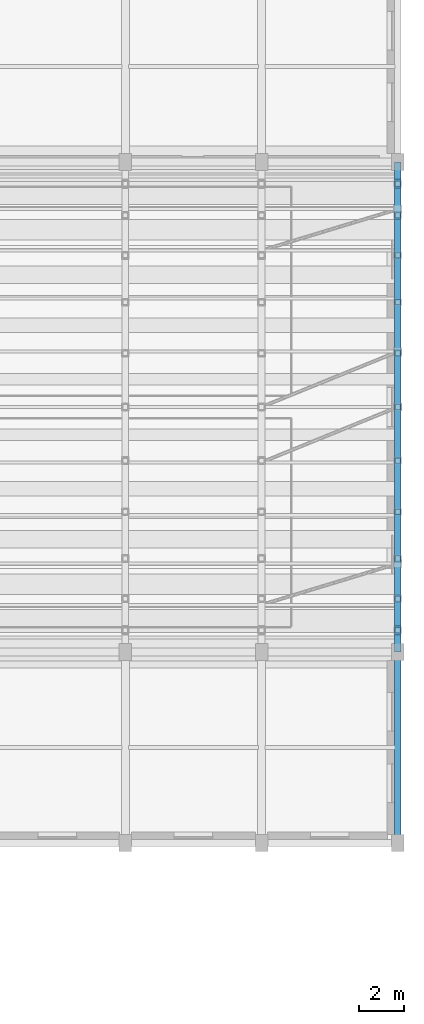
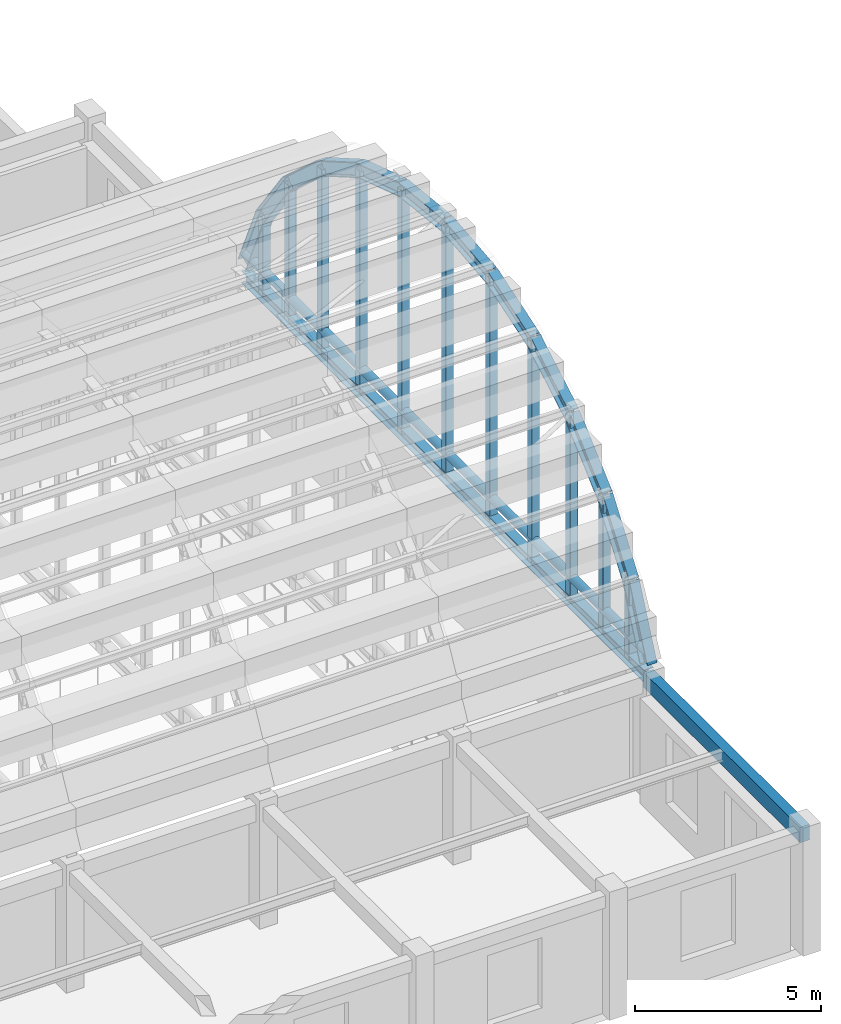
# One storey, part 11 of 46: 14 beams, 12 members.
"""IFC4 building model written with IfcOpenShell, lengths in metres."""

import ifcopenshell
import ifcopenshell.guid

model = None  # the IFC model being written
_history = None  # IfcOwnerHistory: only IFC2X3 demands one
_inside = {}  # id of a spatial element -> (the spatial element, [elements in it])
_under = {}  # id of a project, library or spatial element -> (it, [spatial elements below it])
_declared = {}  # id of a project -> (the project, [libraries it declares])
_typed = {}  # id of a type object -> (the type object, [elements of that type])
_made_of = {}  # id of a material, layer set ... -> (it, [elements and type objects made of it])


def new_model(schema):
    """Start an empty IFC model of exactly this schema.

    Asked for "IFC4X3", IfcOpenShell would pick the latest addendum, in which some entities
    have other attributes; the version numbers below select the first issue.
    IFC2X3 requires an IfcOwnerHistory on every rooted entity: one is made here for all.
    """
    global model, _history
    if schema == "IFC4X3":
        model = ifcopenshell.file(schema_version=(4, 3, 0, 0))
    else:
        model = ifcopenshell.file(schema=schema)
    _inside.clear()
    _under.clear()
    _declared.clear()
    _typed.clear()
    _made_of.clear()
    _history = None
    if model.schema == "IFC2X3":
        org = make("IfcOrganization", Name="unknown")
        user = make(
            "IfcPersonAndOrganization",
            ThePerson=make("IfcPerson", FamilyName="unknown"),
            TheOrganization=org,
        )
        app = make(
            "IfcApplication",
            ApplicationDeveloper=org,
            Version="unknown",
            ApplicationFullName="unknown",
            ApplicationIdentifier="unknown",
        )
        _history = make(
            "IfcOwnerHistory",
            OwningUser=user,
            OwningApplication=app,
            ChangeAction="ADDED",
            CreationDate=0,
        )
    return model


def make(cls, **values):
    """One entity of the class cls with the attributes given. An attribute that is None is left unset."""
    return model.create_entity(
        cls, **{name: value for name, value in values.items() if value is not None}
    )


def rooted(cls, **values):
    """An entity with a GlobalId (a new one), such as an element, a storey or a relation."""
    return make(cls, GlobalId=ifcopenshell.guid.new(), OwnerHistory=_history, **values)


def si_unit(unit_type, name, prefix=None):
    """IfcSIUnit, for example si_unit("LENGTHUNIT", "METRE", prefix="MILLI")."""
    return make("IfcSIUnit", UnitType=unit_type, Prefix=prefix, Name=name)


def assignment(units):
    """IfcUnitAssignment: the units of a project."""
    return None if units is None else make("IfcUnitAssignment", Units=units)


def point(xyz):
    """IfcCartesianPoint."""
    return None if xyz is None else make("IfcCartesianPoint", Coordinates=xyz)


def direction(xyz):
    """IfcDirection."""
    return None if xyz is None else make("IfcDirection", DirectionRatios=xyz)


def frame(location, z_axis=None, x_axis=None):
    """IfcAxis2Placement3D, a coordinate frame: its origin and axes. An axis left out is left unset."""
    return make(
        "IfcAxis2Placement3D",
        Location=point(location),
        Axis=direction(z_axis),
        RefDirection=direction(x_axis),
    )


def frame_2d(location, x_axis=None):
    """IfcAxis2Placement2D, a coordinate frame in the plane: its origin and x axis."""
    return make(
        "IfcAxis2Placement2D", Location=point(location), RefDirection=direction(x_axis)
    )


def origin():
    """The frame at (0, 0, 0) with its axes left unset."""
    return frame((0.0, 0.0, 0.0))


def origin_2d():
    """The frame at (0, 0) in the plane with its x axis left unset."""
    return frame_2d((0.0, 0.0))


def place(relative_to, where):
    """IfcLocalPlacement: puts the frame where relative to a parent placement (None: the world)."""
    return make(
        "IfcLocalPlacement", PlacementRelTo=relative_to, RelativePlacement=where
    )


def context(
    kind, dimensions, precision=None, world=None, true_north=None, identifier=None
):
    """IfcGeometricRepresentationContext, for example the 3D "Model" context."""
    return make(
        "IfcGeometricRepresentationContext",
        ContextIdentifier=identifier,
        ContextType=kind,
        CoordinateSpaceDimension=dimensions,
        Precision=precision,
        WorldCoordinateSystem=world,
        TrueNorth=true_north,
    )


def subcontext(parent, identifier, kind, view, scale=None):
    """IfcGeometricRepresentationSubContext, for example "Body" below "Model"."""
    return make(
        "IfcGeometricRepresentationSubContext",
        ContextIdentifier=identifier,
        ContextType=kind,
        ParentContext=parent,
        TargetScale=scale,
        TargetView=view,
    )


def project(units=None, contexts=None):
    """IfcProject with its units and contexts."""
    return rooted(
        "IfcProject",
        Name="project",
        RepresentationContexts=contexts,
        UnitsInContext=assignment(units),
    )


def spatial(cls, under=None, at=None, **own):
    """A site, building, storey or space (cls), placed at a placement, below another one or the project."""
    s = rooted(cls, ObjectPlacement=at, **own)
    if under is not None:
        _under.setdefault(under.id(), (under, []))[1].append(s)
    return s


def profile(cls, at=None, kind="AREA", **sizes):
    """A parametric profile (cls). Its sizes go by their IFC names, for example OverallWidth=200.0."""
    return make(cls, ProfileType=kind, Position=at, **sizes)


def rectangle(**sizes):
    """IfcRectangleProfileDef."""
    return profile("IfcRectangleProfileDef", **sizes)


def hollow_rectangle(**sizes):
    """IfcRectangleHollowProfileDef."""
    return profile("IfcRectangleHollowProfileDef", **sizes)


def hollow_circle(**sizes):
    """IfcCircleHollowProfileDef."""
    return profile("IfcCircleHollowProfileDef", **sizes)


def i_section(**sizes):
    """IfcIShapeProfileDef."""
    return profile("IfcIShapeProfileDef", **sizes)


def extrude(swept, where, along, depth):
    """IfcExtrudedAreaSolid: the profile swept, set in the frame where, extruded along a direction by depth."""
    return make(
        "IfcExtrudedAreaSolid",
        SweptArea=swept,
        Position=where,
        ExtrudedDirection=direction(along),
        Depth=depth,
    )


def shape(context_of_items, identifier, shape_type, items):
    """IfcShapeRepresentation: the items that make up one representation, for example the "Body"."""
    return make(
        "IfcShapeRepresentation",
        ContextOfItems=context_of_items,
        RepresentationIdentifier=identifier,
        RepresentationType=shape_type,
        Items=items,
    )


def material(Name=None, Category=None):
    """IfcMaterial."""
    return make("IfcMaterial", Name=Name, Category=Category)


def material_profile(
    of_material, cross_section, Name=None, Category=None, Priority=None
):
    """IfcMaterialProfile: a cross section and its material."""
    return make(
        "IfcMaterialProfile",
        Name=Name,
        Material=of_material,
        Profile=cross_section,
        Priority=Priority,
        Category=Category,
    )


def profile_set(profiles, Name=None, composite=None):
    """IfcMaterialProfileSet."""
    return make(
        "IfcMaterialProfileSet",
        Name=Name,
        MaterialProfiles=profiles,
        CompositeProfile=composite,
    )


def made_of(thing, what):
    """Note that an element or type object is made of a material, layer set ...; save() writes the relation."""
    if what is not None:
        _made_of.setdefault(what.id(), (what, []))[1].append(thing)
    return thing


def type_object(cls, material=None, **own):
    """A type object (cls), such as IfcWallType, which elements share."""
    return made_of(rooted(cls, **own), material)


def element(
    cls,
    number,
    at=None,
    inside=None,
    cuts=None,
    type_object=None,
    material=None,
    context=None,
    identifier="Body",
    shape_type=None,
    held_by="IfcProductDefinitionShape",
    body=None,
    shapes=None,
    **own,
):
    """One element of the class cls, such as IfcWall. Its Tag is "e" and its number.

    at: its placement. inside: the storey or other place that contains it. cuts: it is an
    opening in that element (IfcRelVoidsElement). A single representation is given by context,
    identifier, shape_type and body (its items); several are given by shapes. held_by: the class
    of the entity that holds the representations. save() writes the other relations.
    """
    e = rooted(cls, Tag="e%d" % number, ObjectPlacement=at, **own)
    if body is not None:
        shapes = [shape(context, identifier, shape_type, body)]
    if shapes is not None:
        e.Representation = make(held_by, Representations=shapes)
    if inside is not None:
        _inside.setdefault(inside.id(), (inside, []))[1].append(e)
    if cuts is not None:
        rooted(
            "IfcRelVoidsElement", RelatingBuildingElement=cuts, RelatedOpeningElement=e
        )
    if type_object is not None:
        _typed.setdefault(type_object.id(), (type_object, []))[1].append(e)
    return made_of(e, material)


def aggregate(whole, parts):
    """IfcRelAggregates: a whole, such as a stair, and the parts it consists of."""
    return rooted("IfcRelAggregates", RelatingObject=whole, RelatedObjects=parts)


def save(model, path):
    """Write the relations noted so far, then the file.

    IfcRelAggregates (storeys below a building ...), IfcRelContainedInSpatialStructure (elements
    in a storey), IfcRelDefinesByType, IfcRelAssociatesMaterial and IfcRelDeclares: one each for
    every whole, place, type object, material and project.
    """
    for whole, parts in _under.values():
        aggregate(whole, parts)
    for where, things in _inside.values():
        rooted(
            "IfcRelContainedInSpatialStructure",
            RelatedElements=things,
            RelatingStructure=where,
        )
    for kind, things in _typed.values():
        rooted("IfcRelDefinesByType", RelatedObjects=things, RelatingType=kind)
    for what, things in _made_of.values():
        rooted("IfcRelAssociatesMaterial", RelatedObjects=things, RelatingMaterial=what)
    for by, libraries in _declared.values():
        rooted("IfcRelDeclares", RelatingContext=by, RelatedDefinitions=libraries)
    model.write(path)


model = new_model("IFC4")

# Units and contexts
model_context = context("Model", 3, precision=1e-05, world=origin(), true_north=direction((0.0, 1.0)))
body_context = subcontext(model_context, "Body", "Model", "MODEL_VIEW")
ifc_project = project(units=[si_unit("LENGTHUNIT", "METRE"), si_unit("AREAUNIT", "SQUARE_METRE"), si_unit("VOLUMEUNIT", "CUBIC_METRE"), si_unit("PLANEANGLEUNIT", "RADIAN"), si_unit("MASSUNIT", "GRAM", prefix="KILO")], contexts=[model_context])

# Site, building, storey
site_placement = place(None, origin())
site = spatial("IfcSite", under=ifc_project, at=site_placement, CompositionType="ELEMENT")
building_placement = place(site_placement, origin())
building = spatial("IfcBuilding", under=site, at=building_placement, Name="Tarnavel Promenade Courthouse", CompositionType="ELEMENT")
storey_placement = place(building_placement, frame((0.0, 0.0, 14.39990234375)))
storey = spatial("IfcBuildingStorey", under=building, at=storey_placement, Name="L04", CompositionType="ELEMENT", Elevation=14.39990234375)

# Beams
ifc_material_1 = material(Name="Concrete C40/50", Category="concrete")
ifc_material_profile_1 = material_profile(ifc_material_1, rectangle(XDim=0.300048828125, YDim=0.5, at=origin_2d()), Name="RC 300x500")
ifc_profile_set_1 = profile_set([ifc_material_profile_1], Name="Concrete C40/50")
beam_type_1 = type_object("IfcBeamType", Name="Concrete C40/50 BM-SP-300x500 (RC 300x500)", PredefinedType="SPANDREL", material=ifc_profile_set_1)
beam_1_placement = place(storey_placement, frame((162.0, 28.800048828125, 3.705078125), z_axis=(0.0, 1.0, 0.0), x_axis=(-1.0, 0.0, 0.0)))
element("IfcBeam", 1, at=beam_1_placement, inside=storey, type_object=beam_type_1, Name="L04 Transverse Girder 2131", PredefinedType="SPANDREL", context=body_context, shape_type="SweptSolid", body=[
    extrude(rectangle(XDim=0.300048828125, YDim=0.5, at=origin_2d()), origin(), (0.0, 0.0, 1.0), 8.39990234375),
])
ifc_material_2 = material(Name="Steel S355J2", Category="steel")
ifc_material_profile_2 = material_profile(ifc_material_2, i_section(OverallWidth=0.300048828125, OverallDepth=0.449951171875, WebThickness=0.013916015625, FlangeThickness=0.02587890625, FilletRadius=0.027099609375, at=origin_2d()), Name="HEB 450")
ifc_profile_set_2 = profile_set([ifc_material_profile_2], Name="Steel S355J2")
beam_type_2 = type_object("IfcBeamType", Name="Steel S355J2 BM-AR-HEB450 (HEB 450)", PredefinedType="T_BEAM", material=ifc_profile_set_2)
for number, where, z_axis, x_axis, name in (
    (2, (162.0, 37.199951171875, 4.2001953125), (0.0, 0.406453266448, 0.91367157239), (-1.0, 0.0, 0.0), "V1 Barrel Vault Arch Rib 08 Chord 01"),
    (3, (162.0, 38.1650390625, 6.36962890625), (0.0, 0.587523453946, 0.809207137304), (-1.0, 0.0, 0.0), "V1 Barrel Vault Arch Rib 08 Chord 02"),
    (4, (162.0, 39.56005859375, 8.291015625), (0.0, 0.742956629711, 0.669339559842), (-1.0, 0.0, 0.0), "V1 Barrel Vault Arch Rib 08 Chord 03"),
    (5, (162.0, 41.32421875, 9.88037109375), (0.0, 0.86595611672, 0.500119989518), (-1.0, 0.0, 0.0), "V1 Barrel Vault Arch Rib 08 Chord 04"),
    (6, (162.0, 43.38037109375, 11.06787109375), (0.0, 0.951041624123, 0.309062824012), (-1.0, 0.0, 0.0), "V1 Barrel Vault Arch Rib 08 Chord 05"),
):
    element("IfcBeam", number, at=place(storey_placement, frame(where, z_axis=z_axis, x_axis=x_axis)), inside=storey, type_object=beam_type_2, Name=name, PredefinedType="T_BEAM", context=body_context, shape_type="SweptSolid", body=[
        extrude(i_section(OverallWidth=0.300048828125, OverallDepth=0.449951171875, WebThickness=0.013916015625, FlangeThickness=0.02587890625, FilletRadius=0.027099609375, at=origin_2d()), origin(), (0.0, 0.0, 1.0), 2.37451171875),
    ])
for number, where, z_axis, x_axis, name in (
    (7, (162.0, 45.638671875, 11.8017578125), (0.0, 0.994517278414, 0.104572381322), (-1.0, 0.0, 0.0), "V1 Barrel Vault Arch Rib 08 Chord 06"),
    (8, (162.0, 48.0, 12.050048828125), (0.0, 0.994517278414, -0.104572381322), (-1.0, 0.0, 0.0), "V1 Barrel Vault Arch Rib 08 Chord 07"),
):
    element("IfcBeam", number, at=place(storey_placement, frame(where, z_axis=z_axis, x_axis=x_axis)), inside=storey, type_object=beam_type_2, Name=name, PredefinedType="T_BEAM", context=body_context, shape_type="SweptSolid", body=[
        extrude(i_section(OverallWidth=0.300048828125, OverallDepth=0.449951171875, WebThickness=0.013916015625, FlangeThickness=0.02587890625, FilletRadius=0.027099609375, at=origin_2d()), origin(), (0.0, 0.0, 1.0), 2.374267578125),
    ])
for number, where, z_axis, x_axis, name in (
    (9, (162.0, 50.361328125, 11.8017578125), (0.0, 0.951041624123, -0.309062824012), (-1.0, 0.0, 0.0), "V1 Barrel Vault Arch Rib 08 Chord 08"),
    (10, (162.0, 52.61962890625, 11.06787109375), (0.0, 0.86595611672, -0.500119989518), (-1.0, 0.0, 0.0), "V1 Barrel Vault Arch Rib 08 Chord 09"),
    (11, (162.0, 54.67578125, 9.88037109375), (0.0, 0.742956629711, -0.669339559842), (-1.0, 0.0, 0.0), "V1 Barrel Vault Arch Rib 08 Chord 10"),
    (12, (162.0, 56.43994140625, 8.291015625), (0.0, 0.587523453946, -0.809207137304), (-1.0, 0.0, 0.0), "V1 Barrel Vault Arch Rib 08 Chord 11"),
    (13, (162.0, 57.8349609375, 6.36962890625), (0.0, 0.406453266448, -0.91367157239), (-1.0, 0.0, 0.0), "V1 Barrel Vault Arch Rib 08 Chord 12"),
):
    element("IfcBeam", number, at=place(storey_placement, frame(where, z_axis=z_axis, x_axis=x_axis)), inside=storey, type_object=beam_type_2, Name=name, PredefinedType="T_BEAM", context=body_context, shape_type="SweptSolid", body=[
        extrude(i_section(OverallWidth=0.300048828125, OverallDepth=0.449951171875, WebThickness=0.013916015625, FlangeThickness=0.02587890625, FilletRadius=0.027099609375, at=origin_2d()), origin(), (0.0, 0.0, 1.0), 2.37451171875),
    ])
ifc_material_profile_3 = material_profile(ifc_material_2, i_section(OverallWidth=0.300048828125, OverallDepth=0.39990234375, WebThickness=0.013427734375, FlangeThickness=0.02392578125, FilletRadius=0.027099609375, at=origin_2d()), Name="HEB 400")
ifc_profile_set_3 = profile_set([ifc_material_profile_3], Name="Steel S355J2")
beam_type_3 = type_object("IfcBeamType", Name="Steel S355J2 BM-ST-HEB400 (HEB 400)", PredefinedType="T_BEAM", material=ifc_profile_set_3)
beam_2_placement = place(storey_placement, frame((162.0, 37.199951171875, 3.820068359375), z_axis=(0.0, 1.0, 0.0), x_axis=(-1.0, 0.0, 0.0)))
element("IfcBeam", 14, at=beam_2_placement, inside=storey, type_object=beam_type_3, Name="V1 Barrel Vault Tie Girder 08", PredefinedType="T_BEAM", context=body_context, shape_type="SweptSolid", body=[
    extrude(i_section(OverallWidth=0.300048828125, OverallDepth=0.39990234375, WebThickness=0.013427734375, FlangeThickness=0.02392578125, FilletRadius=0.027099609375, at=origin_2d()), origin(), (0.0, 0.0, 1.0), 21.60009765625),
])

# Members
ifc_material_profile_4 = material_profile(ifc_material_2, hollow_rectangle(XDim=0.25, YDim=0.25, WallThickness=0.012451171875, InnerFilletRadius=0.012451171875, OuterFilletRadius=0.02490234375, at=origin_2d()), Name="SHS 250x250x12.5")
ifc_profile_set_4 = profile_set([ifc_material_profile_4], Name="Steel S355J2")
member_type_1 = type_object("IfcMemberType", Name="Steel S355J2 MEM-STR-SHS250 (SHS 250x250x12.5)", PredefinedType="STRUT", material=ifc_profile_set_4)
member_1_placement = place(storey_placement, frame((162.0, 38.1650390625, 3.820068359375), z_axis=(0.0, 0.0, 1.0), x_axis=(1.0, 0.0, 0.0)))
element("IfcMember", 15, at=member_1_placement, inside=storey, type_object=member_type_1, Name="V1 Vault Arch Web Strut 08-01", PredefinedType="STRUT", context=body_context, shape_type="SweptSolid", body=[
    extrude(hollow_rectangle(XDim=0.25, YDim=0.25, WallThickness=0.012451171875, InnerFilletRadius=0.012451171875, OuterFilletRadius=0.02490234375, at=origin_2d()), origin(), (0.0, 0.0, 1.0), 2.549560546875),
])
member_2_placement = place(storey_placement, frame((162.0, 39.56005859375, 3.820068359375), z_axis=(0.0, 0.0, 1.0), x_axis=(1.0, 0.0, 0.0)))
element("IfcMember", 16, at=member_2_placement, inside=storey, type_object=member_type_1, Name="V1 Vault Arch Web Strut 08-02", PredefinedType="STRUT", context=body_context, shape_type="SweptSolid", body=[
    extrude(hollow_rectangle(XDim=0.25, YDim=0.25, WallThickness=0.012451171875, InnerFilletRadius=0.012451171875, OuterFilletRadius=0.02490234375, at=origin_2d()), origin(), (0.0, 0.0, 1.0), 4.470947265625),
])
member_3_placement = place(storey_placement, frame((162.0, 41.32421875, 3.820068359375), z_axis=(0.0, 0.0, 1.0), x_axis=(1.0, 0.0, 0.0)))
element("IfcMember", 17, at=member_3_placement, inside=storey, type_object=member_type_1, Name="V1 Vault Arch Web Strut 08-03", PredefinedType="STRUT", context=body_context, shape_type="SweptSolid", body=[
    extrude(hollow_rectangle(XDim=0.25, YDim=0.25, WallThickness=0.012451171875, InnerFilletRadius=0.012451171875, OuterFilletRadius=0.02490234375, at=origin_2d()), origin(), (0.0, 0.0, 1.0), 6.060302734375),
])
member_4_placement = place(storey_placement, frame((162.0, 43.38037109375, 3.820068359375), z_axis=(0.0, 0.0, 1.0), x_axis=(1.0, 0.0, 0.0)))
element("IfcMember", 18, at=member_4_placement, inside=storey, type_object=member_type_1, Name="V1 Vault Arch Web Strut 08-04", PredefinedType="STRUT", context=body_context, shape_type="SweptSolid", body=[
    extrude(hollow_rectangle(XDim=0.25, YDim=0.25, WallThickness=0.012451171875, InnerFilletRadius=0.012451171875, OuterFilletRadius=0.02490234375, at=origin_2d()), origin(), (0.0, 0.0, 1.0), 7.247802734375),
])
member_5_placement = place(storey_placement, frame((162.0, 45.638671875, 3.820068359375), z_axis=(0.0, 0.0, 1.0), x_axis=(1.0, 0.0, 0.0)))
element("IfcMember", 19, at=member_5_placement, inside=storey, type_object=member_type_1, Name="V1 Vault Arch Web Strut 08-05", PredefinedType="STRUT", context=body_context, shape_type="SweptSolid", body=[
    extrude(hollow_rectangle(XDim=0.25, YDim=0.25, WallThickness=0.012451171875, InnerFilletRadius=0.012451171875, OuterFilletRadius=0.02490234375, at=origin_2d()), origin(), (0.0, 0.0, 1.0), 7.981689453125),
])
member_6_placement = place(storey_placement, frame((162.0, 48.0, 3.820068359375), z_axis=(0.0, 0.0, 1.0), x_axis=(1.0, 0.0, 0.0)))
element("IfcMember", 20, at=member_6_placement, inside=storey, type_object=member_type_1, Name="V1 Vault Arch Web Strut 08-06", PredefinedType="STRUT", context=body_context, shape_type="SweptSolid", body=[
    extrude(hollow_rectangle(XDim=0.25, YDim=0.25, WallThickness=0.012451171875, InnerFilletRadius=0.012451171875, OuterFilletRadius=0.02490234375, at=origin_2d()), origin(), (0.0, 0.0, 1.0), 8.22998046875),
])
member_7_placement = place(storey_placement, frame((162.0, 50.361328125, 3.820068359375), z_axis=(0.0, 0.0, 1.0), x_axis=(1.0, 0.0, 0.0)))
element("IfcMember", 21, at=member_7_placement, inside=storey, type_object=member_type_1, Name="V1 Vault Arch Web Strut 08-07", PredefinedType="STRUT", context=body_context, shape_type="SweptSolid", body=[
    extrude(hollow_rectangle(XDim=0.25, YDim=0.25, WallThickness=0.012451171875, InnerFilletRadius=0.012451171875, OuterFilletRadius=0.02490234375, at=origin_2d()), origin(), (0.0, 0.0, 1.0), 7.981689453125),
])
member_8_placement = place(storey_placement, frame((162.0, 52.61962890625, 3.820068359375), z_axis=(0.0, 0.0, 1.0), x_axis=(1.0, 0.0, 0.0)))
element("IfcMember", 22, at=member_8_placement, inside=storey, type_object=member_type_1, Name="V1 Vault Arch Web Strut 08-08", PredefinedType="STRUT", context=body_context, shape_type="SweptSolid", body=[
    extrude(hollow_rectangle(XDim=0.25, YDim=0.25, WallThickness=0.012451171875, InnerFilletRadius=0.012451171875, OuterFilletRadius=0.02490234375, at=origin_2d()), origin(), (0.0, 0.0, 1.0), 7.247802734375),
])
member_9_placement = place(storey_placement, frame((162.0, 54.67578125, 3.820068359375), z_axis=(0.0, 0.0, 1.0), x_axis=(1.0, 0.0, 0.0)))
element("IfcMember", 23, at=member_9_placement, inside=storey, type_object=member_type_1, Name="V1 Vault Arch Web Strut 08-09", PredefinedType="STRUT", context=body_context, shape_type="SweptSolid", body=[
    extrude(hollow_rectangle(XDim=0.25, YDim=0.25, WallThickness=0.012451171875, InnerFilletRadius=0.012451171875, OuterFilletRadius=0.02490234375, at=origin_2d()), origin(), (0.0, 0.0, 1.0), 6.060302734375),
])
member_10_placement = place(storey_placement, frame((162.0, 56.43994140625, 3.820068359375), z_axis=(0.0, 0.0, 1.0), x_axis=(1.0, 0.0, 0.0)))
element("IfcMember", 24, at=member_10_placement, inside=storey, type_object=member_type_1, Name="V1 Vault Arch Web Strut 08-10", PredefinedType="STRUT", context=body_context, shape_type="SweptSolid", body=[
    extrude(hollow_rectangle(XDim=0.25, YDim=0.25, WallThickness=0.012451171875, InnerFilletRadius=0.012451171875, OuterFilletRadius=0.02490234375, at=origin_2d()), origin(), (0.0, 0.0, 1.0), 4.470947265625),
])
member_11_placement = place(storey_placement, frame((162.0, 57.8349609375, 3.820068359375), z_axis=(0.0, 0.0, 1.0), x_axis=(1.0, 0.0, 0.0)))
element("IfcMember", 25, at=member_11_placement, inside=storey, type_object=member_type_1, Name="V1 Vault Arch Web Strut 08-11", PredefinedType="STRUT", context=body_context, shape_type="SweptSolid", body=[
    extrude(hollow_rectangle(XDim=0.25, YDim=0.25, WallThickness=0.012451171875, InnerFilletRadius=0.012451171875, OuterFilletRadius=0.02490234375, at=origin_2d()), origin(), (0.0, 0.0, 1.0), 2.549560546875),
])
ifc_material_profile_5 = material_profile(ifc_material_2, hollow_circle(Radius=0.136474609375, WallThickness=0.012451171875, at=origin_2d()), Name="CHS 273x12.5")
ifc_profile_set_5 = profile_set([ifc_material_profile_5], Name="Steel S355J2")
member_type_2 = type_object("IfcMemberType", Name="Steel S355J2 MEM-TIE-CHS273 (CHS 273x12.5)", PredefinedType="CHORD", material=ifc_profile_set_5)
member_12_placement = place(storey_placement, frame((162.0, 37.199951171875, 4.5400390625), z_axis=(0.0, 1.0, 0.0), x_axis=(-1.0, 0.0, 0.0)))
element("IfcMember", 26, at=member_12_placement, inside=storey, type_object=member_type_2, Name="V1 Barrel Vault Springline Tie Rod 08", PredefinedType="CHORD", context=body_context, shape_type="SweptSolid", body=[
    extrude(hollow_circle(Radius=0.136474609375, WallThickness=0.012451171875, at=origin_2d()), origin(), (0.0, 0.0, 1.0), 21.60009765625),
])

save(model, "model.ifc")
